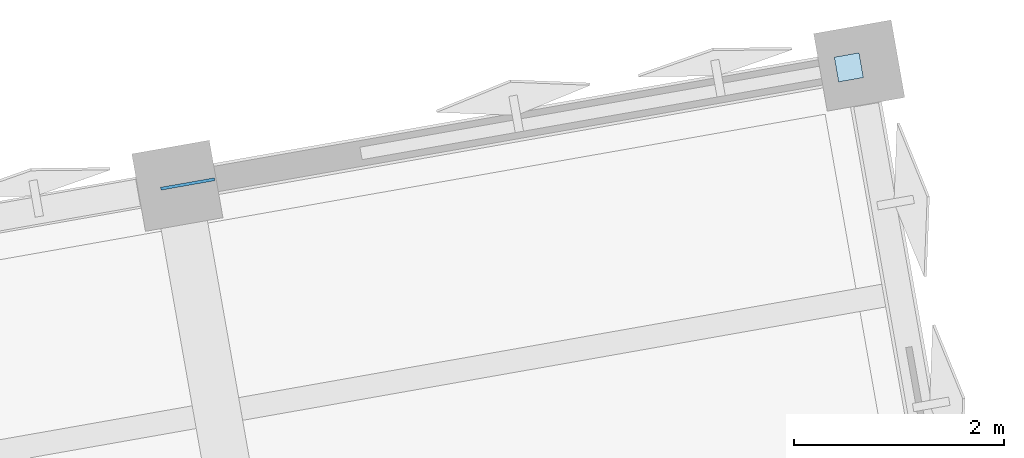
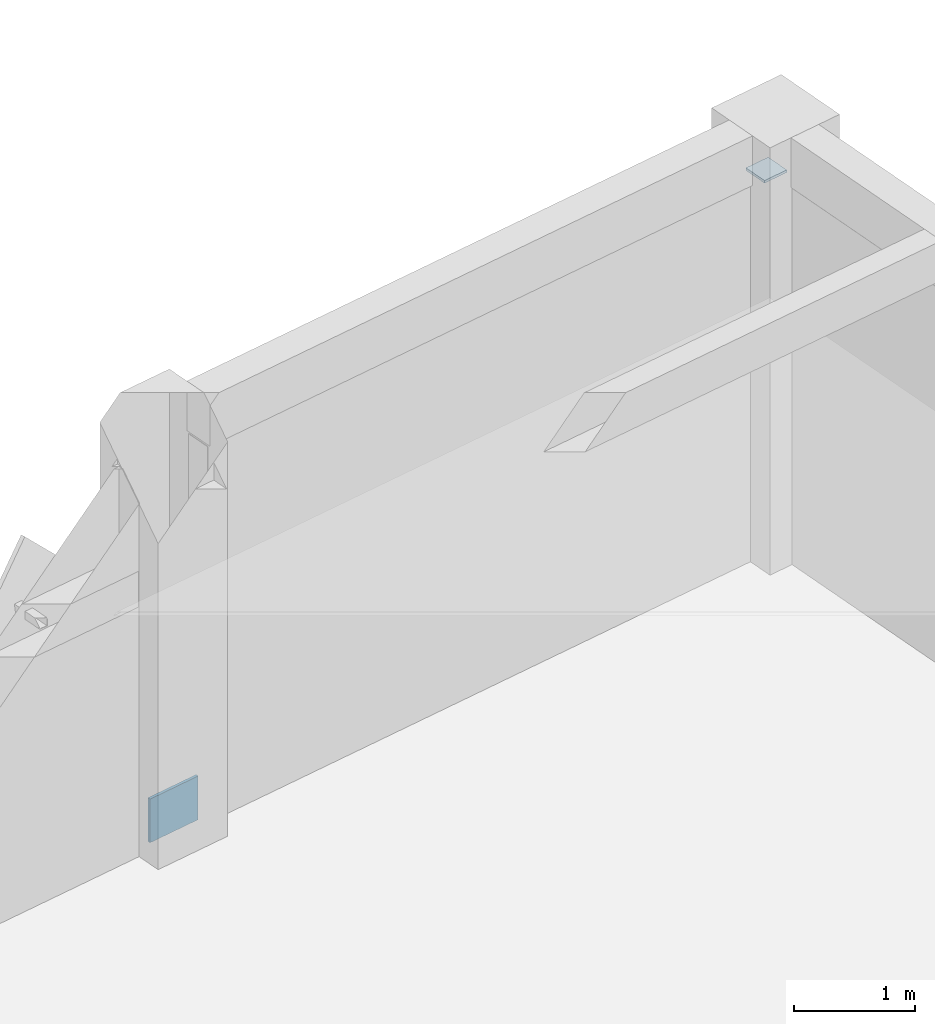
# One storey, part 61 of 80: 2 plates.
"""IFC4 building model written with IfcOpenShell, lengths in metres."""

from ifc_helpers import new_model, si_unit, direction, frame, origin, origin_2d, place, context, subcontext, project, spatial, rectangle, extrude, material, layer, layer_set, type_object, element, save


model = new_model("IFC4")

# Units and contexts
model_context = context("Model", 3, precision=1e-05, world=origin(), true_north=direction((0.0, 1.0)))
body_context = subcontext(model_context, "Body", "Model", "MODEL_VIEW")
ifc_project = project(units=[si_unit("LENGTHUNIT", "METRE"), si_unit("AREAUNIT", "SQUARE_METRE"), si_unit("VOLUMEUNIT", "CUBIC_METRE"), si_unit("PLANEANGLEUNIT", "RADIAN"), si_unit("MASSUNIT", "GRAM", prefix="KILO")], contexts=[model_context])

# Site, building, storey
site_placement = place(None, origin())
site = spatial("IfcSite", under=ifc_project, at=site_placement, CompositionType="ELEMENT")
building_placement = place(site_placement, origin())
building = spatial("IfcBuilding", under=site, at=building_placement, Name="Kharisveld Research Institute", CompositionType="ELEMENT")
storey_placement = place(building_placement, frame((0.0, 0.0, 5.10009765625)))
storey = spatial("IfcBuildingStorey", under=building, at=storey_placement, Name="L01", CompositionType="ELEMENT", Elevation=5.10009765625)

# Plates
ifc_material_1 = material(Name="Steel S355JR", Category="steel")
ifc_layer_1 = layer(ifc_material_1, 0.02587890625)
ifc_layer_set_1 = layer_set([ifc_layer_1], Name="PL_CAP_D")
plate_type_1 = type_object("IfcPlateType", Name="PL_CAP_D", PredefinedType="SHEET", material=ifc_layer_set_1)
plate_1_placement = place(storey_placement, frame((40.66162109375, 61.368408203125, 3.7470703125), z_axis=(0.0, 0.0, 1.0), x_axis=(0.984807753012, 0.173648177667, 0.0)))
element("IfcPlate", 1, at=plate_1_placement, inside=storey, type_object=plate_type_1, Name="PLT:V1:L01:CAP_5_3", PredefinedType="SHEET", context=body_context, shape_type="SweptSolid", body=[
    extrude(rectangle(XDim=0.239990234375, YDim=0.239990234375, at=origin_2d()), origin(), (0.0, 0.0, 1.0), 0.02587890625),
])
ifc_material_2 = material(Name="Steel S355JR", Category="steel")
ifc_layer_2 = layer(ifc_material_2, 0.028076171875)
ifc_layer_set_2 = layer_set([ifc_layer_2], Name="PL_GUS_D")
plate_type_2 = type_object("IfcPlateType", Name="PL_GUS_D", PredefinedType="USERDEFINED", material=ifc_layer_set_2)
plate_2_placement = place(storey_placement, frame((34.35888671875, 60.2568359375, -0.02001953125), z_axis=(0.0, 0.0, 1.0), x_axis=(0.984807753012, 0.173648177667, 0.0)))
element("IfcPlate", 2, at=plate_2_placement, inside=storey, type_object=plate_type_2, Name="PLT:V1:L01:GUS_5_3", ObjectType="GUSSET PLATE", PredefinedType="USERDEFINED", context=body_context, shape_type="SweptSolid", body=[
    extrude(rectangle(XDim=0.52001953125, YDim=0.028076171875, at=origin_2d()), origin(), (0.0, 0.0, 1.0), 0.43994140625),
])

save(model, "model.ifc")
